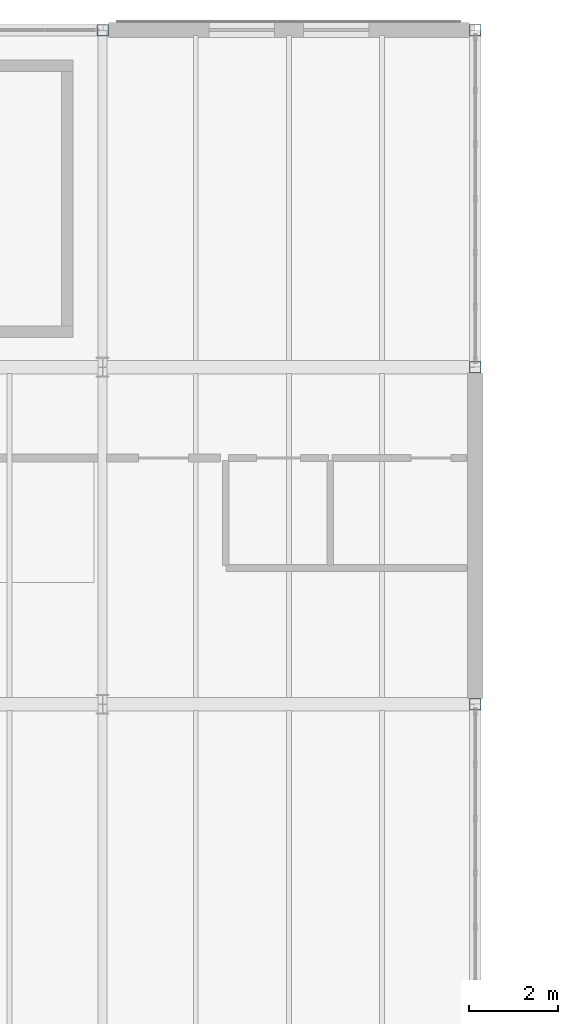
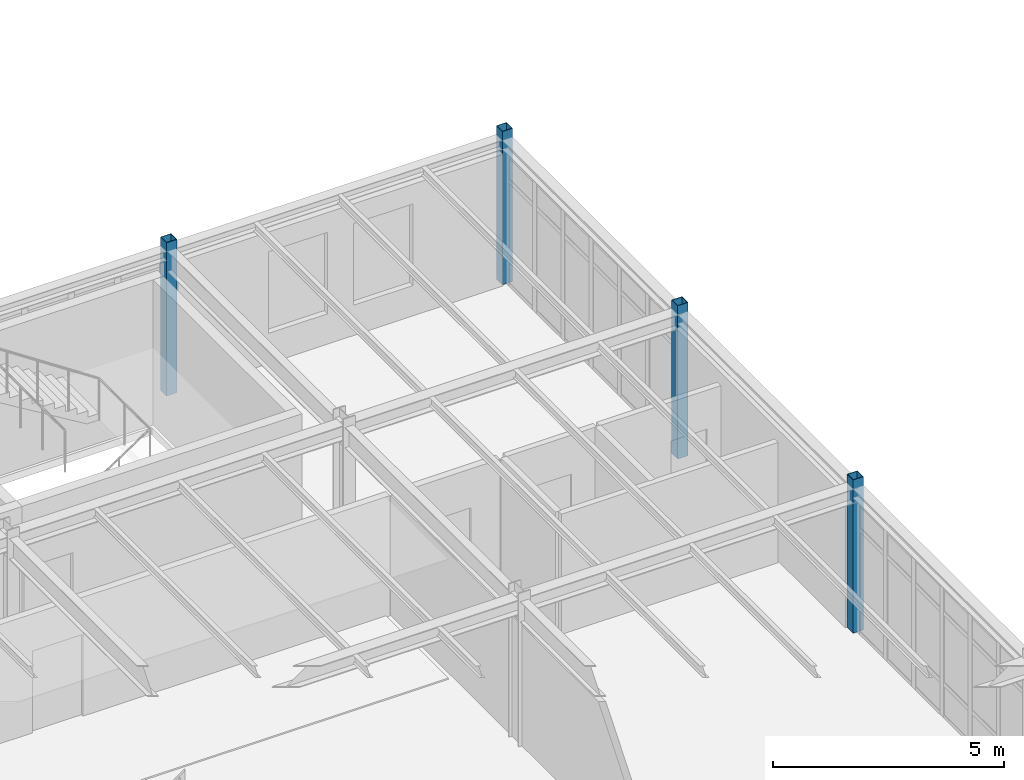
# One storey, part 16 of 189: 4 columns.
"""IFC4 building model written with IfcOpenShell, lengths in metres."""

from ifc_helpers import new_model, si_unit, direction, frame, origin, origin_2d, place, context, subcontext, project, spatial, hollow_rectangle, extrude, material, material_profile, profile_set, type_object, element, save


model = new_model("IFC4")

# Units and contexts
model_context = context("Model", 3, precision=1e-05, world=origin(), true_north=direction((0.0, 1.0)))
body_context = subcontext(model_context, "Body", "Model", "MODEL_VIEW")
ifc_project = project(units=[si_unit("LENGTHUNIT", "METRE"), si_unit("AREAUNIT", "SQUARE_METRE"), si_unit("VOLUMEUNIT", "CUBIC_METRE"), si_unit("PLANEANGLEUNIT", "RADIAN"), si_unit("MASSUNIT", "GRAM", prefix="KILO")], contexts=[model_context])

# Site, building, storey
site_placement = place(None, origin())
site = spatial("IfcSite", under=ifc_project, at=site_placement, CompositionType="ELEMENT")
building_placement = place(site_placement, origin())
building = spatial("IfcBuilding", under=site, at=building_placement, Name="Montecoro Central Library", CompositionType="ELEMENT")
storey_placement = place(building_placement, frame((0.0, 0.0, 9.179931640625)))
storey = spatial("IfcBuildingStorey", under=building, at=storey_placement, Name="L02", CompositionType="ELEMENT", Elevation=9.179931640625)

# Columns
ifc_material = material(Name="Steel S355", Category="steel")
ifc_material_profile = material_profile(ifc_material, hollow_rectangle(XDim=0.260009765625, YDim=0.260009765625, WallThickness=0.012451171875, at=origin_2d()), Name="SHS 260x260x12.5")
ifc_profile_set = profile_set([ifc_material_profile], Name="Steel S355")
column_type = type_object("IfcColumnType", Name="COL-SHS260", PredefinedType="COLUMN", material=ifc_profile_set)
for number, where, z_axis, x_axis, name in (
    (1, (108.39990234375, 119.0, 0.0), (0.0, 0.0, 1.0), (1.0, 0.0, 0.0), "V2-L02-COL-14-R"),
    (2, (116.800048828125, 103.800048828125, 0.0), (0.0, 0.0, 1.0), (1.0, 0.0, 0.0), "V2-L02-COL-15-P"),
    (3, (116.800048828125, 111.39990234375, 0.0), (0.0, 0.0, 1.0), (1.0, 0.0, 0.0), "V2-L02-COL-15-Q"),
    (4, (116.800048828125, 119.0, 0.0), (0.0, 0.0, 1.0), (1.0, 0.0, 0.0), "V2-L02-COL-15-R"),
):
    element("IfcColumn", number, at=place(storey_placement, frame(where, z_axis=z_axis, x_axis=x_axis)), inside=storey, type_object=column_type, Name=name, PredefinedType="COLUMN", context=body_context, shape_type="SweptSolid", body=[
        extrude(hollow_rectangle(XDim=0.260009765625, YDim=0.260009765625, WallThickness=0.012451171875, at=origin_2d()), origin(), (0.0, 0.0, 1.0), 4.05517578125),
    ])

save(model, "model.ifc")
